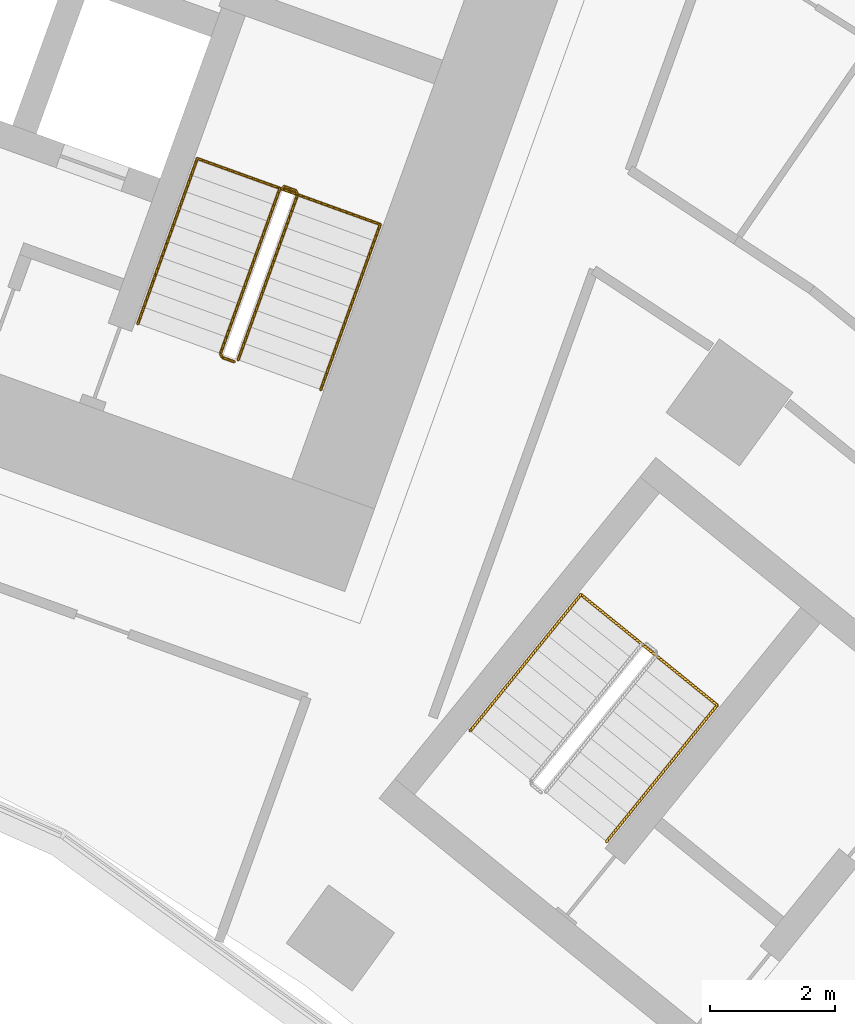
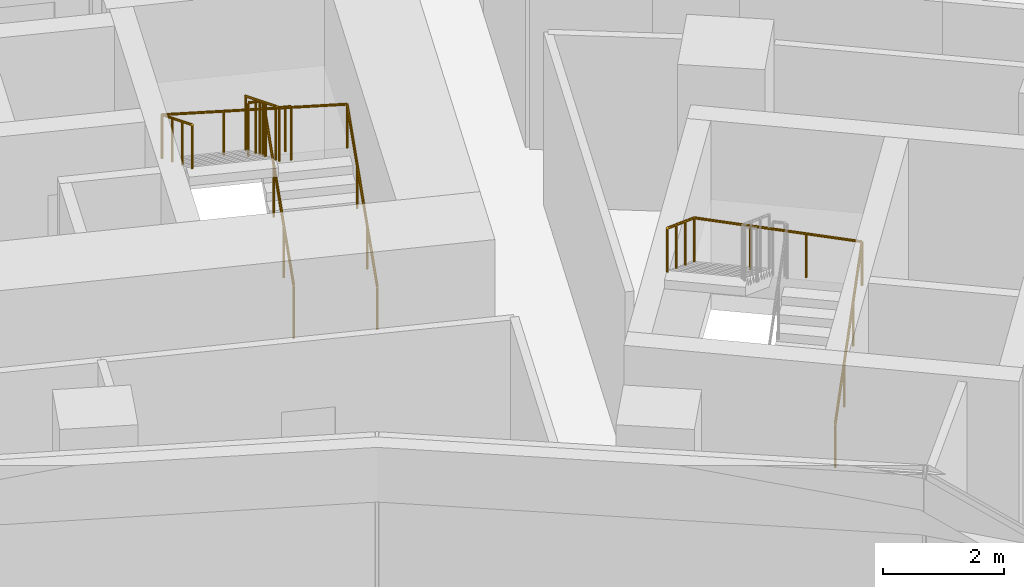
# One storey, part 22 of 22: 4 railings.
"""IFC4 building model written with IfcOpenShell, lengths in metres."""

from ifc_helpers import new_model, si_unit, direction, frame, origin, origin_2d, place, context, subcontext, project, spatial, circle, extrude, material, type_object, element, save


model = new_model("IFC4")

# Units and contexts
model_context = context("Model", 3, precision=1e-05, world=origin(), true_north=direction((0.0, 1.0)))
body_context = subcontext(model_context, "Body", "Model", "MODEL_VIEW")
ifc_project = project(units=[si_unit("LENGTHUNIT", "METRE"), si_unit("AREAUNIT", "SQUARE_METRE"), si_unit("VOLUMEUNIT", "CUBIC_METRE"), si_unit("PLANEANGLEUNIT", "RADIAN"), si_unit("MASSUNIT", "GRAM", prefix="KILO")], contexts=[model_context])

# Site, building, storey
site_placement = place(None, origin())
site = spatial("IfcSite", under=ifc_project, at=site_placement, CompositionType="ELEMENT")
building_placement = place(site_placement, origin())
building = spatial("IfcBuilding", under=site, at=building_placement, Name="Stone Belt Terrace Tower", CompositionType="ELEMENT")
storey_placement = place(building_placement, frame((0.0, 0.0, 121.199951171875)))
storey = spatial("IfcBuildingStorey", under=building, at=storey_placement, Name="L29", CompositionType="ELEMENT", Elevation=121.199951171875)

# Railings
ifc_material = material(Name="Structural steel C345", Category="steel")
railing_type_1 = type_object("IfcRailingType", Name="Stair guard 1100", PredefinedType="GUARDRAIL", material=ifc_material)
railing_1_placement = place(storey_placement, frame((24.494140625, 45.174560546875, 0.1728515625)))
element("IfcRailing", 1, at=railing_1_placement, inside=storey, type_object=railing_type_1, Name="L29 ST1B stair guard 1", PredefinedType="GUARDRAIL", context=body_context, shape_type="SweptSolid", body=[
    extrude(circle(Radius=0.02392578125, at=origin_2d()), frame((0.0, 0.0, 1.076171875), z_axis=(0.288228637646, 0.800791768495, 0.525030280985), x_axis=(-0.940908529223, 0.338660803216, 0.0)), (0.0, 0.0, 1.0), 3.289794921875),
    extrude(circle(Radius=0.02392578125, at=origin_2d()), frame((0.9482421875, 2.634521484375, 2.80322265625), z_axis=(-0.424964916, 0.905209821074, 0.0), x_axis=(-0.905209821074, -0.424964916, 0.0)), (0.0, 0.0, 1.0), 0.070556640625),
    extrude(circle(Radius=0.02392578125, at=origin_2d()), frame((0.918212890625, 2.698486328125, 2.80322265625), z_axis=(-0.941105063269, 0.338114270461, 0.0), x_axis=(-0.338114270461, -0.941105063269, 0.0)), (0.0, 0.0, 1.0), 0.199951171875),
    extrude(circle(Radius=0.02099609375, at=origin_2d()), origin(), (0.0, 0.0, 1.0), 1.052001953125),
    extrude(circle(Radius=0.02099609375, at=origin_2d()), frame((0.316162109375, 0.878173828125, 0.57568359375)), (0.0, 0.0, 1.0), 1.052001953125),
    extrude(circle(Radius=0.02099609375, at=origin_2d()), frame((0.632080078125, 1.75634765625, 1.151611328125)), (0.0, 0.0, 1.0), 1.052001953125),
    extrude(circle(Radius=0.02099609375, at=origin_2d()), frame((0.9482421875, 2.634521484375, 1.727294921875)), (0.0, 0.0, 1.0), 1.052001953125),
    extrude(circle(Radius=0.02099609375, at=origin_2d()), frame((0.918212890625, 2.698486328125, 1.727294921875)), (0.0, 0.0, 1.0), 1.052001953125),
    extrude(circle(Radius=0.02099609375, at=origin_2d()), frame((0.72998046875, 2.76611328125, 1.727294921875)), (0.0, 0.0, 1.0), 1.052001953125),
])
railing_2_placement = place(storey_placement, frame((25.16015625, 47.91064453125, 2.07275390625)))
element("IfcRailing", 2, at=railing_2_placement, inside=storey, type_object=railing_type_1, Name="L29 ST1B stair guard 2", PredefinedType="GUARDRAIL", context=body_context, shape_type="SweptSolid", body=[
    extrude(circle(Radius=0.02392578125, at=origin_2d()), frame((0.0, 0.0, 1.076171875), z_axis=(-0.288228637646, -0.800791768495, 0.525030280985), x_axis=(0.940908529223, -0.338660803216, 0.0)), (0.0, 0.0, 1.0), 3.289794921875),
    extrude(circle(Radius=0.02392578125, at=origin_2d()), frame((-0.9482421875, -2.634521484375, 2.80322265625), z_axis=(0.427789722475, -0.903878284585, 0.0), x_axis=(0.903878284585, 0.427789722475, 0.0)), (0.0, 0.0, 1.0), 0.07080078125),
    extrude(circle(Radius=0.02392578125, at=origin_2d()), frame((-0.91796875, -2.698486328125, 2.80322265625), z_axis=(0.940575576748, -0.339584429008, 0.0), x_axis=(0.339584429008, 0.940575576748, 0.0)), (0.0, 0.0, 1.0), 0.199951171875),
    extrude(circle(Radius=0.02099609375, at=origin_2d()), origin(), (0.0, 0.0, 1.0), 1.052001953125),
    extrude(circle(Radius=0.02099609375, at=origin_2d()), frame((-0.316162109375, -0.878173828125, 0.57568359375)), (0.0, 0.0, 1.0), 1.052001953125),
    extrude(circle(Radius=0.02099609375, at=origin_2d()), frame((-0.632080078125, -1.75634765625, 1.151611328125)), (0.0, 0.0, 1.0), 1.052001953125),
    extrude(circle(Radius=0.02099609375, at=origin_2d()), frame((-0.9482421875, -2.634521484375, 1.727294921875)), (0.0, 0.0, 1.0), 1.052001953125),
    extrude(circle(Radius=0.02099609375, at=origin_2d()), frame((-0.91796875, -2.698486328125, 1.727294921875)), (0.0, 0.0, 1.0), 1.052001953125),
    extrude(circle(Radius=0.02099609375, at=origin_2d()), frame((-0.72998046875, -2.766357421875, 1.727294921875)), (0.0, 0.0, 1.0), 1.052001953125),
])
railing_type_2 = type_object("IfcRailingType", Name="Stair handrail 900", PredefinedType="HANDRAIL", material=ifc_material)
railing_3_placement = place(storey_placement, frame((25.8115234375, 44.700439453125, 0.1728515625)))
element("IfcRailing", 3, at=railing_3_placement, inside=storey, type_object=railing_type_2, Name="L29 ST1B stair handrail 1", PredefinedType="HANDRAIL", context=body_context, shape_type="SweptSolid", body=[
    extrude(circle(Radius=0.02392578125, at=origin_2d()), frame((0.0, 0.0, 0.8759765625), z_axis=(0.288228637646, 0.800791768495, 0.525030280985), x_axis=(-0.940908529223, 0.338660803216, 0.0)), (0.0, 0.0, 1.0), 3.289794921875),
    extrude(circle(Radius=0.02392578125, at=origin_2d()), frame((0.9482421875, 2.634521484375, 2.60302734375), z_axis=(-0.939464517435, 0.338106580597, 0.055591012205), x_axis=(-0.338630230244, -0.940919532779, 0.0)), (0.0, 0.0, 1.0), 3.10498046875),
    extrude(circle(Radius=0.02392578125, at=origin_2d()), frame((-1.96875, 3.684326171875, 2.77587890625), z_axis=(-0.288160591223, -0.800808895155, 0.52504150989), x_axis=(0.940936311087, -0.338583606334, 0.0)), (0.0, 0.0, 1.0), 3.289794921875),
    extrude(circle(Radius=0.02099609375, at=origin_2d()), origin(), (0.0, 0.0, 1.0), 0.851806640625),
    extrude(circle(Radius=0.02099609375, at=origin_2d()), frame((0.316162109375, 0.878173828125, 0.57568359375)), (0.0, 0.0, 1.0), 0.851806640625),
    extrude(circle(Radius=0.02099609375, at=origin_2d()), frame((0.632080078125, 1.75634765625, 1.151611328125)), (0.0, 0.0, 1.0), 0.851806640625),
    extrude(circle(Radius=0.02099609375, at=origin_2d()), frame((0.9482421875, 2.634521484375, 1.727294921875)), (0.0, 0.0, 1.0), 0.851806640625),
    extrude(circle(Radius=0.02099609375, at=origin_2d()), frame((-0.024169921875, 2.984375, 1.784912109375)), (0.0, 0.0, 1.0), 0.851806640625),
    extrude(circle(Radius=0.02099609375, at=origin_2d()), frame((-0.996337890625, 3.33447265625, 1.84228515625)), (0.0, 0.0, 1.0), 0.851806640625),
    extrude(circle(Radius=0.02099609375, at=origin_2d()), frame((-1.96875, 3.684326171875, 1.89990234375)), (0.0, 0.0, 1.0), 0.851806640625),
    extrude(circle(Radius=0.02099609375, at=origin_2d()), frame((-2.28466796875, 2.80615234375, 2.4755859375)), (0.0, 0.0, 1.0), 0.851806640625),
    extrude(circle(Radius=0.02099609375, at=origin_2d()), frame((-2.600830078125, 1.927978515625, 3.051513671875)), (0.0, 0.0, 1.0), 0.851806640625),
    extrude(circle(Radius=0.02099609375, at=origin_2d()), frame((-2.916748046875, 1.0498046875, 3.627197265625)), (0.0, 0.0, 1.0), 0.851806640625),
])
railing_4_placement = place(storey_placement, frame((30.36865234375, 37.494140625, 0.1728515625)))
element("IfcRailing", 4, at=railing_4_placement, inside=storey, type_object=railing_type_2, Name="L29 ST3B stair handrail 1", PredefinedType="HANDRAIL", context=body_context, shape_type="SweptSolid", body=[
    extrude(circle(Radius=0.02392578125, at=origin_2d()), frame((0.0, 0.0, 0.8759765625), z_axis=(0.536366759382, 0.660811565066, 0.525013118792), x_axis=(-0.776425942316, 0.630208502084, 0.0)), (0.0, 0.0, 1.0), 3.2900390625),
    extrude(circle(Radius=0.02392578125, at=origin_2d()), frame((1.7646484375, 2.174072265625, 2.60302734375), z_axis=(-0.774954966459, 0.629014542119, 0.061526463929), x_axis=(-0.630208502084, -0.776425942316, 0.0)), (0.0, 0.0, 1.0), 2.805419921875),
    extrude(circle(Radius=0.02392578125, at=origin_2d()), frame((-0.409423828125, 3.938720703125, 2.77587890625), z_axis=(-0.536366759382, -0.660811565066, 0.525013118792), x_axis=(0.776425942316, -0.630208502084, 0.0)), (0.0, 0.0, 1.0), 3.2900390625),
    extrude(circle(Radius=0.02099609375, at=origin_2d()), origin(), (0.0, 0.0, 1.0), 0.851806640625),
    extrude(circle(Radius=0.02099609375, at=origin_2d()), frame((0.588134765625, 0.724609375, 0.57568359375)), (0.0, 0.0, 1.0), 0.851806640625),
    extrude(circle(Radius=0.02099609375, at=origin_2d()), frame((1.176513671875, 1.449462890625, 1.151611328125)), (0.0, 0.0, 1.0), 0.851806640625),
    extrude(circle(Radius=0.02099609375, at=origin_2d()), frame((1.7646484375, 2.174072265625, 1.727294921875)), (0.0, 0.0, 1.0), 0.851806640625),
    extrude(circle(Radius=0.02099609375, at=origin_2d()), frame((1.0400390625, 2.76220703125, 1.784912109375)), (0.0, 0.0, 1.0), 0.851806640625),
    extrude(circle(Radius=0.02099609375, at=origin_2d()), frame((0.315185546875, 3.3505859375, 1.84228515625)), (0.0, 0.0, 1.0), 0.851806640625),
    extrude(circle(Radius=0.02099609375, at=origin_2d()), frame((-0.409423828125, 3.938720703125, 1.89990234375)), (0.0, 0.0, 1.0), 0.851806640625),
    extrude(circle(Radius=0.02099609375, at=origin_2d()), frame((-0.99755859375, 3.214111328125, 2.4755859375)), (0.0, 0.0, 1.0), 0.851806640625),
    extrude(circle(Radius=0.02099609375, at=origin_2d()), frame((-1.5859375, 2.4892578125, 3.051513671875)), (0.0, 0.0, 1.0), 0.851806640625),
    extrude(circle(Radius=0.02099609375, at=origin_2d()), frame((-2.174072265625, 1.7646484375, 3.627197265625)), (0.0, 0.0, 1.0), 0.851806640625),
])

save(model, "model.ifc")
